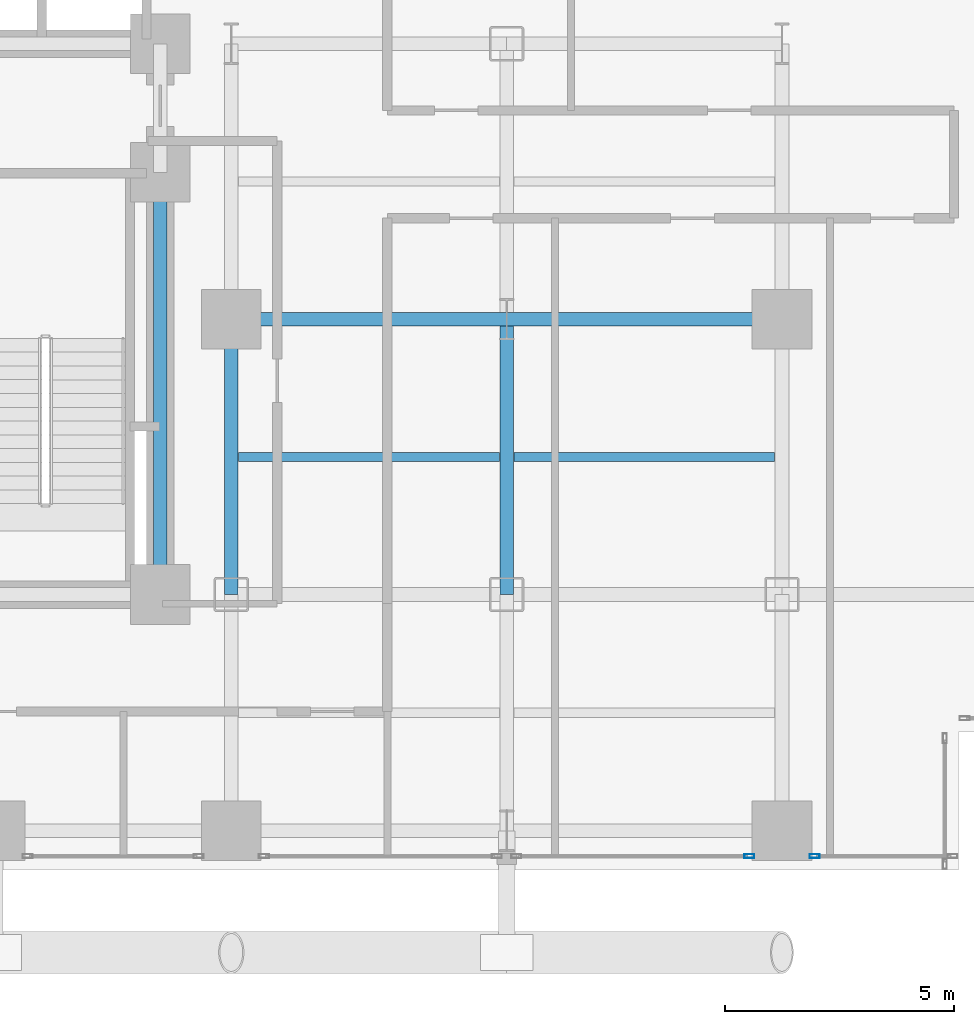
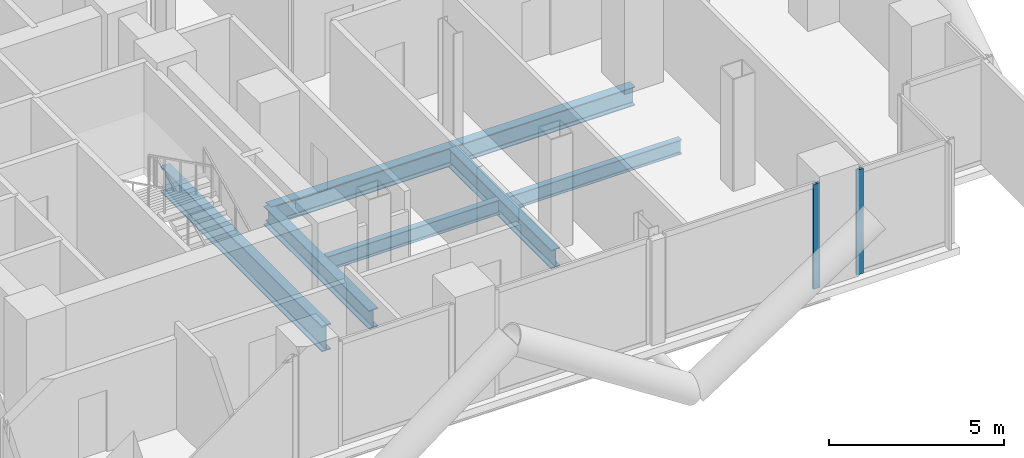
# One storey, part 9 of 25: 7 beams, 2 members, 2 elements without a shape of their own.
"""IFC4 building model written with IfcOpenShell, lengths in metres."""

from ifc_helpers import new_model, si_unit, direction, frame, origin, origin_2d, place, context, subcontext, project, spatial, hollow_rectangle, i_section, extrude, material, layer, layer_set, material_profile, profile_set, type_object, element, aggregate, save


model = new_model("IFC4")

# Units and contexts
model_context = context("Model", 3, precision=1e-05, world=origin(), true_north=direction((0.0, 1.0)))
body_context = subcontext(model_context, "Body", "Model", "MODEL_VIEW")
ifc_project = project(units=[si_unit("LENGTHUNIT", "METRE"), si_unit("AREAUNIT", "SQUARE_METRE"), si_unit("VOLUMEUNIT", "CUBIC_METRE"), si_unit("PLANEANGLEUNIT", "RADIAN"), si_unit("MASSUNIT", "GRAM", prefix="KILO"), si_unit("THERMODYNAMICTEMPERATUREUNIT", "KELVIN"), si_unit("POWERUNIT", "WATT")], contexts=[model_context])

# Site, building, storey
site_placement = place(None, origin())
site = spatial("IfcSite", under=ifc_project, at=site_placement, CompositionType="ELEMENT")
building_placement = place(site_placement, origin())
building = spatial("IfcBuilding", under=site, at=building_placement, Name="Svarakhadi Broadcast Tower", CompositionType="ELEMENT")
storey_placement = place(building_placement, frame((0.0, 0.0, 63.60009765625)))
storey = spatial("IfcBuildingStorey", under=building, at=storey_placement, Name="L14", CompositionType="ELEMENT", Elevation=63.60009765625)

# Beams
ifc_material_1 = material(Name="Steel S355J2 (IS 2062 E350C)", Category="steel")
ifc_material_profile_1 = material_profile(ifc_material_1, i_section(OverallWidth=0.199951171875, OverallDepth=0.5, WebThickness=0.01025390625, FlangeThickness=0.01611328125, FilletRadius=0.02099609375, at=origin_2d()), Name="NPB 500x200x91")
ifc_profile_set_1 = profile_set([ifc_material_profile_1], Name="Steel S355J2 (IS 2062 E350C)")
beam_type_1 = type_object("IfcBeamType", Name="Beam_NPB500", PredefinedType="BEAM", material=ifc_profile_set_1)
for number, where, z_axis, x_axis, name in (
    (1, (35.31005859375, 9.0, -0.5), (1.0, 0.0, 0.0), (0.0, 1.0, 0.0), "L14 Secondary Composite Beam SB023"),
    (2, (41.31005859375, 9.0, -0.5), (1.0, 0.0, 0.0), (0.0, 1.0, 0.0), "L14 Secondary Composite Beam SB026"),
):
    element("IfcBeam", number, at=place(storey_placement, frame(where, z_axis=z_axis, x_axis=x_axis)), inside=storey, type_object=beam_type_1, Name=name, PredefinedType="BEAM", context=body_context, shape_type="SweptSolid", body=[
        extrude(i_section(OverallWidth=0.199951171875, OverallDepth=0.5, WebThickness=0.01025390625, FlangeThickness=0.01611328125, FilletRadius=0.02099609375, at=origin_2d()), origin(), (0.0, 0.0, 1.0), 5.679931640625),
    ])

# Curtain wall, member
ifc_material_2 = material(Name="Anodised Bronze Aluminium AA 6063-T6", Category="aluminium")
ifc_layer = layer(ifc_material_2, 0.219970703125)
ifc_layer_set = layer_set([ifc_layer], Name="Anodised Bronze Aluminium AA 6063-T6")
curtain_wall_type = type_object("IfcCurtainWallType", Name="CW_Sys_02", PredefinedType="NOTDEFINED", material=ifc_layer_set)
curtain_wall_1_placement = place(storey_placement, origin())
curtain_wall_1 = element("IfcCurtainWall", 3, at=curtain_wall_1_placement, inside=storey, type_object=curtain_wall_type, Name="L14 South Curtain Wall 16 Bay 1", PredefinedType="NOTDEFINED")
ifc_material_profile_2 = material_profile(ifc_material_2, hollow_rectangle(XDim=0.0849609375, YDim=0.219970703125, WallThickness=0.006103515625, at=origin_2d()), Name="ALU MULLION 220x85x6")
ifc_profile_set_2 = profile_set([ifc_material_profile_2], Name="Anodised Bronze Aluminium AA 6063-T6")
member_type = type_object("IfcMemberType", Name="CW_Sys_02_Mul", PredefinedType="MULLION", material=ifc_profile_set_2)
member_1_placement = place(storey_placement, frame((47.862548828125, 0.300048828125, 0.0), z_axis=(0.0, 0.0, 1.0), x_axis=(0.0, -1.0, 0.0)))
member_1 = element("IfcMember", 4, at=member_1_placement, type_object=member_type, Name="CW-02 mullion 2", PredefinedType="MULLION", context=body_context, shape_type="SweptSolid", body=[
    extrude(hollow_rectangle(XDim=0.0849609375, YDim=0.219970703125, WallThickness=0.006103515625, at=origin_2d()), origin(), (0.0, 0.0, 1.0), 3.64990234375),
])
aggregate(curtain_wall_1, [member_1])

curtain_wall_2_placement = place(storey_placement, origin())
curtain_wall_2 = element("IfcCurtainWall", 5, at=curtain_wall_2_placement, inside=storey, type_object=curtain_wall_type, Name="L14 South Curtain Wall 16 Bay 2", PredefinedType="NOTDEFINED")
member_2_placement = place(storey_placement, frame((46.4375, 0.300048828125, 0.0), z_axis=(0.0, 0.0, 1.0), x_axis=(0.0, -1.0, 0.0)))
member_2 = element("IfcMember", 6, at=member_2_placement, type_object=member_type, Name="CW-02 mullion 1", PredefinedType="MULLION", context=body_context, shape_type="SweptSolid", body=[
    extrude(hollow_rectangle(XDim=0.0849609375, YDim=0.219970703125, WallThickness=0.006103515625, at=origin_2d()), origin(), (0.0, 0.0, 1.0), 3.64990234375),
])
aggregate(curtain_wall_2, [member_2])

# Beams
ifc_material_profile_3 = material_profile(ifc_material_1, i_section(OverallWidth=0.300048828125, OverallDepth=0.64990234375, WebThickness=0.01611328125, FlangeThickness=0.031005859375, FilletRadius=0.027099609375, at=origin_2d()), Name="WPB 650x300x225")
ifc_profile_set_3 = profile_set([ifc_material_profile_3], Name="Steel S355J2 (IS 2062 E350C)")
beam_type_2 = type_object("IfcBeamType", Name="Girder_WPB650", PredefinedType="USERDEFINED", material=ifc_profile_set_3)
for number, where, z_axis, x_axis, name in (
    (7, (35.14990234375, 12.0, -0.5751953125), (1.0, 0.0, 0.0), (0.0, 1.0, 0.0), "L14 Primary E-W Girder G023"),
    (8, (41.14990234375, 12.0, -0.5751953125), (1.0, 0.0, 0.0), (0.0, 1.0, 0.0), "L14 Primary E-W Girder G024"),
    (9, (35.14990234375, 6.0, -0.5751953125), (0.0, 1.0, 0.0), (-1.0, 0.0, 0.0), "L14 Primary N-S Girder G077"),
    (10, (41.14990234375, 6.0, -0.5751953125), (0.0, 1.0, 0.0), (-1.0, 0.0, 0.0), "L14 Primary N-S Girder G080"),
):
    element("IfcBeam", number, at=place(storey_placement, frame(where, z_axis=z_axis, x_axis=x_axis)), inside=storey, type_object=beam_type_2, Name=name, ObjectType="GIRDER", PredefinedType="USERDEFINED", context=body_context, shape_type="SweptSolid", body=[
        extrude(i_section(OverallWidth=0.300048828125, OverallDepth=0.64990234375, WebThickness=0.01611328125, FlangeThickness=0.031005859375, FilletRadius=0.027099609375, at=origin_2d()), origin(), (0.0, 0.0, 1.0), 6.0),
    ])
ifc_material_3 = material(Name="Steel S460ML (IS 2062 E450BR)", Category="steel")
ifc_material_profile_4 = material_profile(ifc_material_3, i_section(OverallWidth=0.300048828125, OverallDepth=0.89990234375, WebThickness=0.0185546875, FlangeThickness=0.034912109375, FilletRadius=0.030029296875, at=origin_2d()), Name="WPB 900x300x291")
ifc_profile_set_4 = profile_set([ifc_material_profile_4], Name="Steel S460ML (IS 2062 E450BR)")
beam_type_3 = type_object("IfcBeamType", Name="Girder_WPB900", PredefinedType="USERDEFINED", material=ifc_profile_set_4)
beam_placement = place(storey_placement, frame((33.60009765625, 6.0, -0.7001953125), z_axis=(0.0, 1.0, 0.0), x_axis=(-1.0, 0.0, 0.0)))
element("IfcBeam", 11, at=beam_placement, inside=storey, type_object=beam_type_3, Name="L14 Primary N-S Girder G074", ObjectType="GIRDER", PredefinedType="USERDEFINED", context=body_context, shape_type="SweptSolid", body=[
    extrude(i_section(OverallWidth=0.300048828125, OverallDepth=0.89990234375, WebThickness=0.0185546875, FlangeThickness=0.034912109375, FilletRadius=0.030029296875, at=origin_2d()), origin(), (0.0, 0.0, 1.0), 9.199951171875),
])

save(model, "model.ifc")
